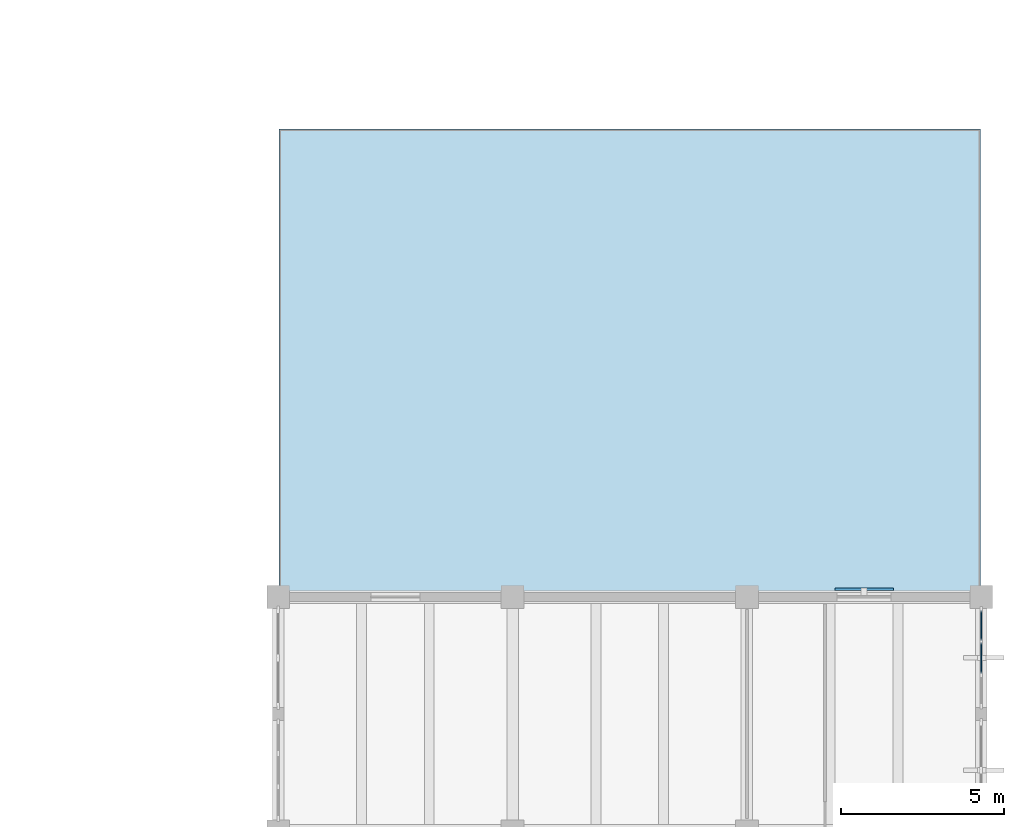
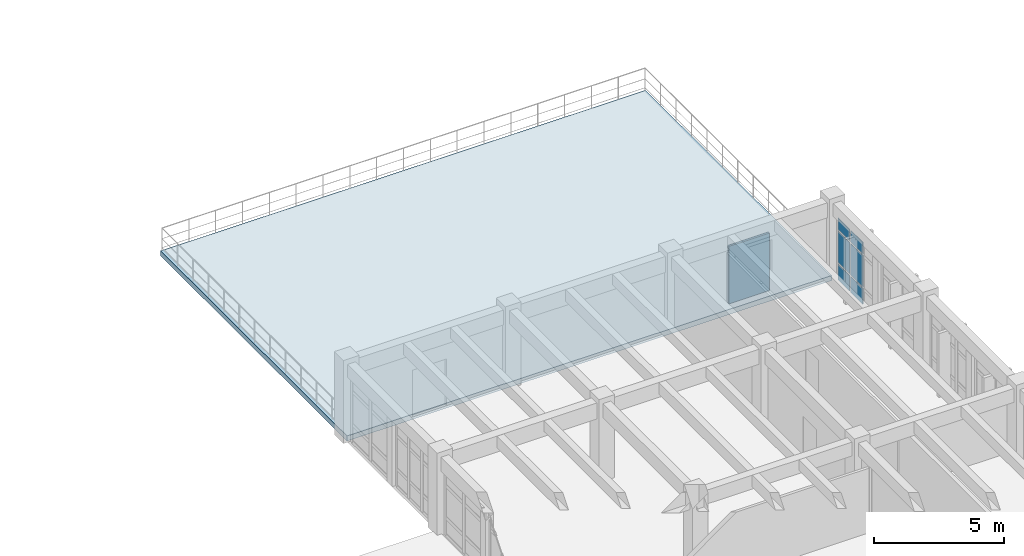
# One storey, part 30 of 54: 7 plates, 1 slab, 1 element without a shape of its own.
"""IFC4 building model written with IfcOpenShell, lengths in metres."""

from ifc_helpers import new_model, si_unit, direction, frame, origin, origin_2d, place, context, subcontext, project, spatial, polyline, rectangle, outline, extrude, material, layer, layer_set, type_object, element, aggregate, save


model = new_model("IFC4")

# Units and contexts
model_context = context("Model", 3, precision=1e-05, world=origin(), true_north=direction((0.0, 1.0)))
body_context = subcontext(model_context, "Body", "Model", "MODEL_VIEW")
ifc_project = project(units=[si_unit("LENGTHUNIT", "METRE"), si_unit("AREAUNIT", "SQUARE_METRE"), si_unit("VOLUMEUNIT", "CUBIC_METRE"), si_unit("PLANEANGLEUNIT", "RADIAN"), si_unit("MASSUNIT", "GRAM", prefix="KILO")], contexts=[model_context])

# Site, building, storey
site_placement = place(None, origin())
site = spatial("IfcSite", under=ifc_project, at=site_placement, CompositionType="ELEMENT")
building_placement = place(site_placement, origin())
building = spatial("IfcBuilding", under=site, at=building_placement, Name="Koriwan Promenade Central Fire Station", CompositionType="ELEMENT")
storey_placement = place(building_placement, frame((0.0, 0.0, 9.60009765625)))
storey = spatial("IfcBuildingStorey", under=building, at=storey_placement, Name="L02", CompositionType="ELEMENT", Elevation=9.60009765625)

# Curtain wall, plates
ifc_material_1 = material(Name="Aluminium EN AW-6063-T6 and low-E glazing", Category="aluminium")
ifc_layer_1 = layer(ifc_material_1, 0.159912109375, Name="Aluminium EN AW-6063-T6 and low-E glazing")
ifc_layer_set_1 = layer_set([ifc_layer_1], Name="Aluminium EN AW-6063-T6 and low-E glazing")
curtain_wall_type = type_object("IfcCurtainWallType", Name="CurtainWall_76_305x305", PredefinedType="USERDEFINED", material=ifc_layer_set_1)
curtain_wall_placement = place(storey_placement, origin())
curtain_wall = element("IfcCurtainWall", 1, at=curtain_wall_placement, inside=storey, type_object=curtain_wall_type, Name="V5 L02 unitised curtain wall 235", ObjectType="UNITISED CURTAIN WALL", PredefinedType="USERDEFINED")
ifc_material_2 = material(Name="Solar-control low-E acoustic glazing", Category="glass")
ifc_layer_2 = layer(ifc_material_2, 0.031982421875, Name="Solar-control low-E acoustic glazing")
ifc_layer_set_2 = layer_set([ifc_layer_2], Name="Solar-control low-E acoustic glazing")
plate_type_1 = type_object("IfcPlateType", Name="CWPanel_32", PredefinedType="CURTAIN_PANEL", material=ifc_layer_set_2)
plate_1_placement = place(storey_placement, frame((172.800048828125, 56.722900390625, 0.07470703125), z_axis=(0.0, 0.0, 1.0), x_axis=(0.0, -1.0, 0.0)))
plate_1 = element("IfcPlate", 2, at=plate_1_placement, type_object=plate_type_1, Name="CW-76 panel 1.1", PredefinedType="CURTAIN_PANEL", context=body_context, shape_type="SweptSolid", body=[
    extrude(rectangle(XDim=0.904052734375, YDim=0.031982421875, at=origin_2d()), origin(), (0.0, 0.0, 1.0), 0.737548828125),
])
plate_2_placement = place(storey_placement, frame((172.800048828125, 56.722900390625, 0.887451171875), z_axis=(0.0, 0.0, 1.0), x_axis=(0.0, -1.0, 0.0)))
plate_2 = element("IfcPlate", 3, at=plate_2_placement, type_object=plate_type_1, Name="CW-76 panel 1.2", PredefinedType="CURTAIN_PANEL", context=body_context, shape_type="SweptSolid", body=[
    extrude(rectangle(XDim=0.904052734375, YDim=0.031982421875, at=origin_2d()), origin(), (0.0, 0.0, 1.0), 1.47509765625),
])
plate_3_placement = place(storey_placement, frame((172.800048828125, 56.722900390625, 2.437255859375), z_axis=(0.0, 0.0, 1.0), x_axis=(0.0, -1.0, 0.0)))
plate_3 = element("IfcPlate", 4, at=plate_3_placement, type_object=plate_type_1, Name="CW-76 panel 1.3", PredefinedType="CURTAIN_PANEL", context=body_context, shape_type="SweptSolid", body=[
    extrude(rectangle(XDim=0.904052734375, YDim=0.031982421875, at=origin_2d()), origin(), (0.0, 0.0, 1.0), 0.53759765625),
])
plate_4_placement = place(storey_placement, frame((172.800048828125, 55.72509765625, 0.07470703125), z_axis=(0.0, 0.0, 1.0), x_axis=(0.0, -1.0, 0.0)))
plate_4 = element("IfcPlate", 5, at=plate_4_placement, type_object=plate_type_1, Name="CW-76 panel 2.1", PredefinedType="CURTAIN_PANEL", context=body_context, shape_type="SweptSolid", body=[
    extrude(rectangle(XDim=0.941650390625, YDim=0.031982421875, at=origin_2d()), origin(), (0.0, 0.0, 1.0), 0.737548828125),
])
plate_5_placement = place(storey_placement, frame((172.800048828125, 55.72509765625, 0.887451171875), z_axis=(0.0, 0.0, 1.0), x_axis=(0.0, -1.0, 0.0)))
plate_5 = element("IfcPlate", 6, at=plate_5_placement, type_object=plate_type_1, Name="CW-76 panel 2.2", PredefinedType="CURTAIN_PANEL", context=body_context, shape_type="SweptSolid", body=[
    extrude(rectangle(XDim=0.941650390625, YDim=0.031982421875, at=origin_2d()), origin(), (0.0, 0.0, 1.0), 1.47509765625),
])
plate_6_placement = place(storey_placement, frame((172.800048828125, 55.72509765625, 2.437255859375), z_axis=(0.0, 0.0, 1.0), x_axis=(0.0, -1.0, 0.0)))
plate_6 = element("IfcPlate", 7, at=plate_6_placement, type_object=plate_type_1, Name="CW-76 panel 2.3", PredefinedType="CURTAIN_PANEL", context=body_context, shape_type="SweptSolid", body=[
    extrude(rectangle(XDim=0.941650390625, YDim=0.031982421875, at=origin_2d()), origin(), (0.0, 0.0, 1.0), 0.53759765625),
])
aggregate(curtain_wall, [plate_1, plate_2, plate_3, plate_4, plate_5, plate_6])

# Plate
ifc_material_3 = material(Name="Precast concrete C40/50", Category="concrete")
ifc_layer_3 = layer(ifc_material_3, 0.0849609375, Name="Precast concrete C40/50")
ifc_layer_set_3 = layer_set([ifc_layer_3], Name="Precast concrete C40/50")
plate_type_2 = type_object("IfcPlateType", Name="JaliScreen_JL-02", PredefinedType="USERDEFINED", material=ifc_layer_set_3)
plate_7_placement = place(storey_placement, frame((169.199951171875, 57.83251953125, 0.125), z_axis=(0.0, 0.0, 1.0), x_axis=(1.0, 0.0, 0.0)))
element("IfcPlate", 8, at=plate_7_placement, inside=storey, type_object=plate_type_2, Name="V5 L02 Mughal jali screen 016", ObjectType="JALI SCREEN", PredefinedType="USERDEFINED", context=body_context, shape_type="SweptSolid", body=[
    extrude(rectangle(XDim=1.800048828125, YDim=0.0849609375, at=origin_2d()), origin(), (0.0, 0.0, 1.0), 2.699951171875),
])

# Slab
ifc_material_4 = material(Name="Concrete C35/45", Category="concrete")
ifc_layer_4 = layer(ifc_material_4, 0.239990234375, Name="Concrete C35/45")
ifc_layer_set_4 = layer_set([ifc_layer_4], Name="Concrete C35/45")
slab_type = type_object("IfcSlabType", Name="TerraceSlab_240", PredefinedType="FLOOR", material=ifc_layer_set_4)
slab_placement = place(storey_placement, frame((0.0, 0.0, -0.239990234375)))
element("IfcSlab", 9, at=slab_placement, inside=storey, type_object=slab_type, Name="North Headquarters Roof Garden (L02)", PredefinedType="FLOOR", context=body_context, shape_type="SweptSolid", body=[
    extrude(outline(polyline([(172.780029296875, 57.6201171875), (151.219970703125, 57.6201171875), (151.219970703125, 71.97998046875), (172.780029296875, 71.97998046875), (172.780029296875, 57.6201171875)])), origin(), (0.0, 0.0, 1.0), 0.239990234375),
])

save(model, "model.ifc")
